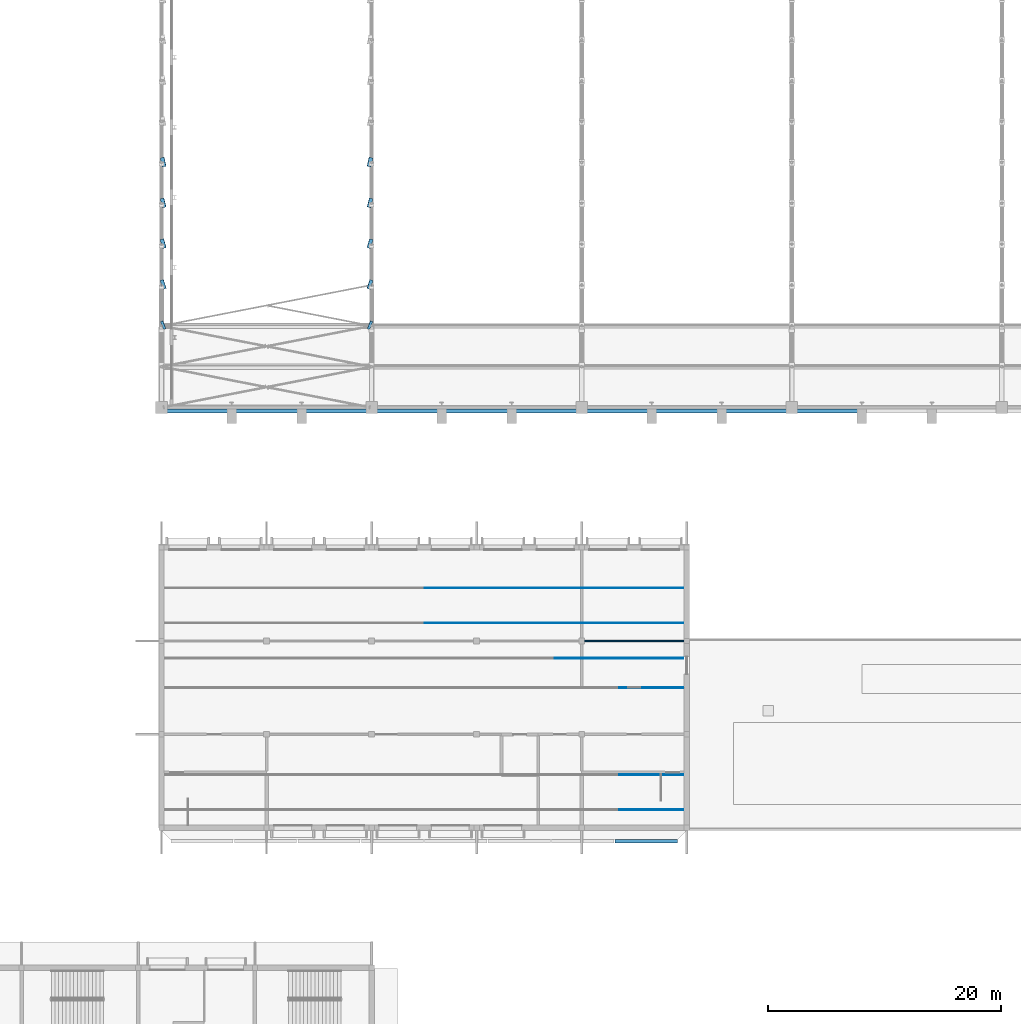
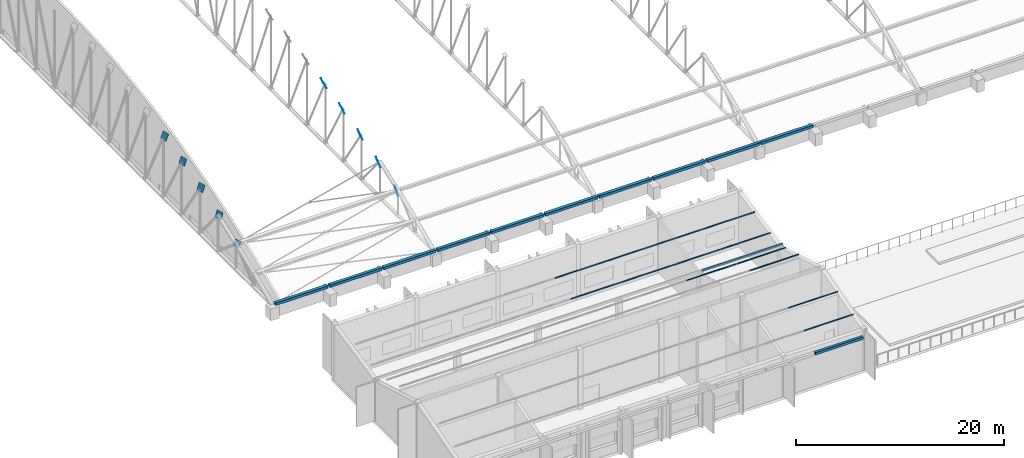
# One storey, part 134 of 196: 35 discrete accessories.
"""IFC4 building model written with IfcOpenShell, lengths in metres."""

from ifc_helpers import new_model, si_unit, direction, frame, origin, origin_2d, place, context, subcontext, project, spatial, polyline, rectangle, outline, extrude, material, layer, layer_set, type_object, element, save


model = new_model("IFC4")

# Units and contexts
model_context = context("Model", 3, precision=1e-05, world=origin(), true_north=direction((0.0, 1.0)))
body_context = subcontext(model_context, "Body", "Model", "MODEL_VIEW")
ifc_project = project(units=[si_unit("LENGTHUNIT", "METRE"), si_unit("AREAUNIT", "SQUARE_METRE"), si_unit("VOLUMEUNIT", "CUBIC_METRE"), si_unit("PLANEANGLEUNIT", "RADIAN"), si_unit("MASSUNIT", "GRAM", prefix="KILO")], contexts=[model_context])

# Site, building, storey
site_placement = place(None, origin())
site = spatial("IfcSite", under=ifc_project, at=site_placement, CompositionType="ELEMENT")
building_placement = place(site_placement, origin())
building = spatial("IfcBuilding", under=site, at=building_placement, Name="Okhra Congress Centre", CompositionType="ELEMENT")
storey_placement = place(building_placement, frame((0.0, 0.0, 12.0)))
storey = spatial("IfcBuildingStorey", under=building, at=storey_placement, Name="L02", CompositionType="ELEMENT", Elevation=12.0)

# Discrete accessories
ifc_material_1 = material(Name="Steel S355J2", Category="steel")
ifc_layer = layer(ifc_material_1, 0.02001953125)
ifc_layer_set = layer_set([ifc_layer], Name="Brace end connection plate 20 mm S355")
discrete_accessory_type_1 = type_object("IfcDiscreteAccessoryType", Name="Brace end connection plate 20 mm S355", PredefinedType="BRACKET", material=ifc_layer_set)
discrete_accessory_1_placement = place(storey_placement, frame((28.151611328125, 139.064697265625, 4.318603515625), z_axis=(-0.888791088931, -0.353081391493, 0.292205289512), x_axis=(0.36919466432, -0.929352086046, 0.0)))
element("IfcDiscreteAccessory", 1, at=discrete_accessory_1_placement, inside=storey, type_object=discrete_accessory_type_1, Name="Brace end connection plate", PredefinedType="BRACKET", context=body_context, shape_type="SweptSolid", body=[
    extrude(rectangle(XDim=0.73193359375, YDim=0.73193359375, at=origin_2d()), origin(), (0.0, 0.0, 1.0), 0.02001953125),
])
discrete_accessory_2_placement = place(storey_placement, frame((28.1513671875, 142.551025390625, 5.566650390625), z_axis=(-0.891903506248, -0.281010693749, 0.354317831249), x_axis=(0.300506003221, -0.953779923267, 0.0)))
element("IfcDiscreteAccessory", 2, at=discrete_accessory_2_placement, inside=storey, type_object=discrete_accessory_type_1, Name="Brace end connection plate", PredefinedType="BRACKET", context=body_context, shape_type="SweptSolid", body=[
    extrude(rectangle(XDim=0.800048828125, YDim=0.800048828125, at=origin_2d()), origin(), (0.0, 0.0, 1.0), 0.02001953125),
])
discrete_accessory_3_placement = place(storey_placement, frame((28.15087890625, 146.04296875, 6.671630859375), z_axis=(-0.885645843718, -0.254774831754, 0.388228315054), x_axis=(0.2764594172, -0.961025593125, 0.0)))
element("IfcDiscreteAccessory", 3, at=discrete_accessory_3_placement, inside=storey, type_object=discrete_accessory_type_1, Name="Brace end connection plate", PredefinedType="BRACKET", context=body_context, shape_type="SweptSolid", body=[
    extrude(rectangle(XDim=0.794921875, YDim=0.794921875, at=origin_2d()), origin(), (0.0, 0.0, 1.0), 0.02001953125),
])
discrete_accessory_4_placement = place(storey_placement, frame((28.150634765625, 149.53759765625, 7.63720703125), z_axis=(-0.893371661161, -0.2202834233, 0.391614974756), x_axis=(0.239404887501, -0.97091982153, 0.0)))
element("IfcDiscreteAccessory", 4, at=discrete_accessory_4_placement, inside=storey, type_object=discrete_accessory_type_1, Name="Brace end connection plate", PredefinedType="BRACKET", context=body_context, shape_type="SweptSolid", body=[
    extrude(rectangle(XDim=0.79296875, YDim=0.79296875, at=origin_2d()), origin(), (0.0, 0.0, 1.0), 0.02001953125),
])
discrete_accessory_5_placement = place(storey_placement, frame((28.150390625, 153.033935546875, 8.46630859375), z_axis=(-0.88652742044, -0.197006093431, 0.418637948541), x_axis=(0.216930457819, -0.976187060184, 0.0)))
element("IfcDiscreteAccessory", 5, at=discrete_accessory_5_placement, inside=storey, type_object=discrete_accessory_type_1, Name="Brace end connection plate", PredefinedType="BRACKET", context=body_context, shape_type="SweptSolid", body=[
    extrude(rectangle(XDim=0.7919921875, YDim=0.7919921875, at=origin_2d()), origin(), (0.0, 0.0, 1.0), 0.019775390625),
])
discrete_accessory_6_placement = place(storey_placement, frame((45.848388671875, 139.064697265625, 4.318603515625), z_axis=(0.888791088931, -0.353081391493, 0.292205289512), x_axis=(0.36919466432, 0.929352086046, 0.0)))
element("IfcDiscreteAccessory", 6, at=discrete_accessory_6_placement, inside=storey, type_object=discrete_accessory_type_1, Name="Brace end connection plate", PredefinedType="BRACKET", context=body_context, shape_type="SweptSolid", body=[
    extrude(rectangle(XDim=0.73193359375, YDim=0.73193359375, at=origin_2d()), origin(), (0.0, 0.0, 1.0), 0.02001953125),
])
discrete_accessory_7_placement = place(storey_placement, frame((45.8486328125, 142.551025390625, 5.566650390625), z_axis=(0.891903506248, -0.281010693749, 0.354317831249), x_axis=(0.300506003221, 0.953779923267, 0.0)))
element("IfcDiscreteAccessory", 7, at=discrete_accessory_7_placement, inside=storey, type_object=discrete_accessory_type_1, Name="Brace end connection plate", PredefinedType="BRACKET", context=body_context, shape_type="SweptSolid", body=[
    extrude(rectangle(XDim=0.800048828125, YDim=0.800048828125, at=origin_2d()), origin(), (0.0, 0.0, 1.0), 0.02001953125),
])
discrete_accessory_8_placement = place(storey_placement, frame((45.84912109375, 146.04296875, 6.671630859375), z_axis=(0.885645843718, -0.254774831754, 0.388228315054), x_axis=(0.2764594172, 0.961025593125, 0.0)))
element("IfcDiscreteAccessory", 8, at=discrete_accessory_8_placement, inside=storey, type_object=discrete_accessory_type_1, Name="Brace end connection plate", PredefinedType="BRACKET", context=body_context, shape_type="SweptSolid", body=[
    extrude(rectangle(XDim=0.794921875, YDim=0.794921875, at=origin_2d()), origin(), (0.0, 0.0, 1.0), 0.02001953125),
])
discrete_accessory_9_placement = place(storey_placement, frame((45.849365234375, 149.53759765625, 7.63720703125), z_axis=(0.893371661161, -0.2202834233, 0.391614974756), x_axis=(0.239404887501, 0.97091982153, 0.0)))
element("IfcDiscreteAccessory", 9, at=discrete_accessory_9_placement, inside=storey, type_object=discrete_accessory_type_1, Name="Brace end connection plate", PredefinedType="BRACKET", context=body_context, shape_type="SweptSolid", body=[
    extrude(rectangle(XDim=0.79296875, YDim=0.79296875, at=origin_2d()), origin(), (0.0, 0.0, 1.0), 0.02001953125),
])
discrete_accessory_10_placement = place(storey_placement, frame((45.849609375, 153.033935546875, 8.46630859375), z_axis=(0.88652742044, -0.197006093431, 0.418637948541), x_axis=(0.216930457819, 0.976187060184, 0.0)))
element("IfcDiscreteAccessory", 10, at=discrete_accessory_10_placement, inside=storey, type_object=discrete_accessory_type_1, Name="Brace end connection plate", PredefinedType="BRACKET", context=body_context, shape_type="SweptSolid", body=[
    extrude(rectangle(XDim=0.7919921875, YDim=0.7919921875, at=origin_2d()), origin(), (0.0, 0.0, 1.0), 0.019775390625),
])
ifc_material_2 = material(Name="Stainless steel box gutter with self-regulating heating cable", Category="steel")
discrete_accessory_type_2 = type_object("IfcDiscreteAccessoryType", Name="Heated box gutter 350x300", PredefinedType="USERDEFINED", material=ifc_material_2)
for number, where, z_axis, x_axis, name in (
    (11, (31.0, 131.69189453125, 1.59228515625), (0.0, 0.0, 1.0), (1.0, 0.0, 0.0), "Heated box gutter"),
    (12, (37.0, 131.69189453125, 1.59228515625), (0.0, 0.0, 1.0), (1.0, 0.0, 0.0), "Heated box gutter"),
    (13, (43.0, 131.69189453125, 1.59228515625), (0.0, 0.0, 1.0), (1.0, 0.0, 0.0), "Heated box gutter"),
    (14, (49.0, 131.69189453125, 1.59228515625), (0.0, 0.0, 1.0), (1.0, 0.0, 0.0), "Heated box gutter"),
    (15, (55.0, 131.69189453125, 1.59228515625), (0.0, 0.0, 1.0), (1.0, 0.0, 0.0), "Heated box gutter"),
    (16, (61.0, 131.69189453125, 1.59228515625), (0.0, 0.0, 1.0), (1.0, 0.0, 0.0), "Heated box gutter"),
    (17, (67.0, 131.69189453125, 1.59228515625), (0.0, 0.0, 1.0), (1.0, 0.0, 0.0), "Heated box gutter"),
    (18, (73.0, 131.69189453125, 1.59228515625), (0.0, 0.0, 1.0), (1.0, 0.0, 0.0), "Heated box gutter"),
    (19, (79.0, 131.69189453125, 1.59228515625), (0.0, 0.0, 1.0), (1.0, 0.0, 0.0), "Heated box gutter"),
    (20, (85.0, 131.69189453125, 1.59228515625), (0.0, 0.0, 1.0), (1.0, 0.0, 0.0), "Heated box gutter"),
):
    element("IfcDiscreteAccessory", number, at=place(storey_placement, frame(where, z_axis=z_axis, x_axis=x_axis)), inside=storey, type_object=discrete_accessory_type_2, Name=name, ObjectType="HEATED GUTTER", PredefinedType="USERDEFINED", context=body_context, shape_type="SweptSolid", body=[
        extrude(rectangle(XDim=5.800048828125, YDim=0.35009765625, at=origin_2d()), origin(), (0.0, 0.0, 1.0), 0.300048828125),
    ])
discrete_accessory_type_3 = type_object("IfcDiscreteAccessoryType", Name="Heated eaves gutter 300x300", PredefinedType="USERDEFINED", material=ifc_material_2)
discrete_accessory_11_placement = place(storey_placement, frame((69.53125, 94.85009765625, 4.51318359375), z_axis=(0.0, 0.0, 1.0), x_axis=(1.0, 0.0, 0.0)))
element("IfcDiscreteAccessory", 21, at=discrete_accessory_11_placement, inside=storey, type_object=discrete_accessory_type_3, Name="Heated eaves gutter", ObjectType="HEATED GUTTER", PredefinedType="USERDEFINED", context=body_context, shape_type="SweptSolid", body=[
    extrude(rectangle(XDim=5.33740234375, YDim=0.300048828125, at=origin_2d()), origin(), (0.0, 0.0, 1.0), 0.300048828125),
])
discrete_accessory_type_4 = type_object("IfcDiscreteAccessoryType", Name="Heated valley gutter 140x200", PredefinedType="USERDEFINED", material=ifc_material_2)
discrete_accessory_12_placement = place(storey_placement, frame((68.699951171875, 112.0, 4.7998046875), z_axis=(0.0, 0.0, 1.0), x_axis=(1.0, 0.0, 0.0)))
element("IfcDiscreteAccessory", 22, at=discrete_accessory_12_placement, inside=storey, type_object=discrete_accessory_type_4, Name="Heated valley gutter", ObjectType="HEATED GUTTER", PredefinedType="USERDEFINED", context=body_context, shape_type="SweptSolid", body=[
    extrude(rectangle(XDim=9.0, YDim=0.139892578125, at=origin_2d()), origin(), (0.0, 0.0, 1.0), 0.199951171875),
])
ifc_material_3 = material(Name="Stainless steel snow retention bar clamped to the standing seams", Category="steel")
discrete_accessory_type_5 = type_object("IfcDiscreteAccessoryType", Name="Snow guard bar 40x120", PredefinedType="USERDEFINED", material=ifc_material_3)
for number, where, z_axis, x_axis, name in (
    (23, (67.237548828125, 97.5, 5.60693359375), (0.0, -0.27549521247, 0.961302443514), (1.0, 0.0, 0.0), "Snow guard bar"),
    (24, (67.237548828125, 100.5, 6.46728515625), (0.0, -0.27549521247, 0.961302443514), (1.0, 0.0, 0.0), "Snow guard bar"),
    (25, (67.237548828125, 108.0, 6.32373046875), (0.0, 0.27549521247, 0.961302443514), (1.0, 0.0, 0.0), "Snow guard bar"),
    (26, (61.675048828125, 110.5, 5.60693359375), (0.0, 0.27549521247, 0.961302443514), (1.0, 0.0, 0.0), "Snow guard bar"),
    (27, (67.237548828125, 110.5, 5.60693359375), (0.0, 0.27549521247, 0.961302443514), (1.0, 0.0, 0.0), "Snow guard bar"),
):
    element("IfcDiscreteAccessory", number, at=place(storey_placement, frame(where, z_axis=z_axis, x_axis=x_axis)), inside=storey, type_object=discrete_accessory_type_5, Name=name, ObjectType="SNOW GUARD", PredefinedType="USERDEFINED", context=body_context, shape_type="SweptSolid", body=[
        extrude(outline(polyline([(0.0, 0.0), (5.46240234375, 0.0), (5.46240234375, 0.041650848565038194), (0.0, 0.041650848565038194), (0.0, 0.0)])), origin(), (0.0, 0.0, -1.0), 0.1201171875),
    ])
for number, where, z_axis, x_axis, name in (
    (28, (50.550048828125, 113.5, 5.49267578125), (0.0, -0.208714520349, 0.977976609636), (1.0, 0.0, 0.0), "Snow guard bar"),
    (29, (56.112548828125, 113.5, 5.49267578125), (0.0, -0.208714520349, 0.977976609636), (1.0, 0.0, 0.0), "Snow guard bar"),
    (30, (61.675048828125, 113.5, 5.49267578125), (0.0, -0.208714520349, 0.977976609636), (1.0, 0.0, 0.0), "Snow guard bar"),
    (31, (67.237548828125, 113.5, 5.49267578125), (0.0, -0.208714520349, 0.977976609636), (1.0, 0.0, 0.0), "Snow guard bar"),
    (32, (50.550048828125, 116.5, 6.13037109375), (0.0, -0.208714520349, 0.977976609636), (1.0, 0.0, 0.0), "Snow guard bar"),
    (33, (56.112548828125, 116.5, 6.13037109375), (0.0, -0.208714520349, 0.977976609636), (1.0, 0.0, 0.0), "Snow guard bar"),
    (34, (61.675048828125, 116.5, 6.13037109375), (0.0, -0.208714520349, 0.977976609636), (1.0, 0.0, 0.0), "Snow guard bar"),
    (35, (67.237548828125, 116.5, 6.13037109375), (0.0, -0.208714520349, 0.977976609636), (1.0, 0.0, 0.0), "Snow guard bar"),
):
    element("IfcDiscreteAccessory", number, at=place(storey_placement, frame(where, z_axis=z_axis, x_axis=x_axis)), inside=storey, type_object=discrete_accessory_type_5, Name=name, ObjectType="SNOW GUARD", PredefinedType="USERDEFINED", context=body_context, shape_type="SweptSolid", body=[
        extrude(outline(polyline([(0.0, 0.0), (5.46240234375, 0.0), (5.46240234375, 0.04094071586732161), (0.0, 0.04094071586732161), (0.0, 0.0)])), origin(), (0.0, 0.0, -1.0), 0.1201171875),
    ])

save(model, "model.ifc")
